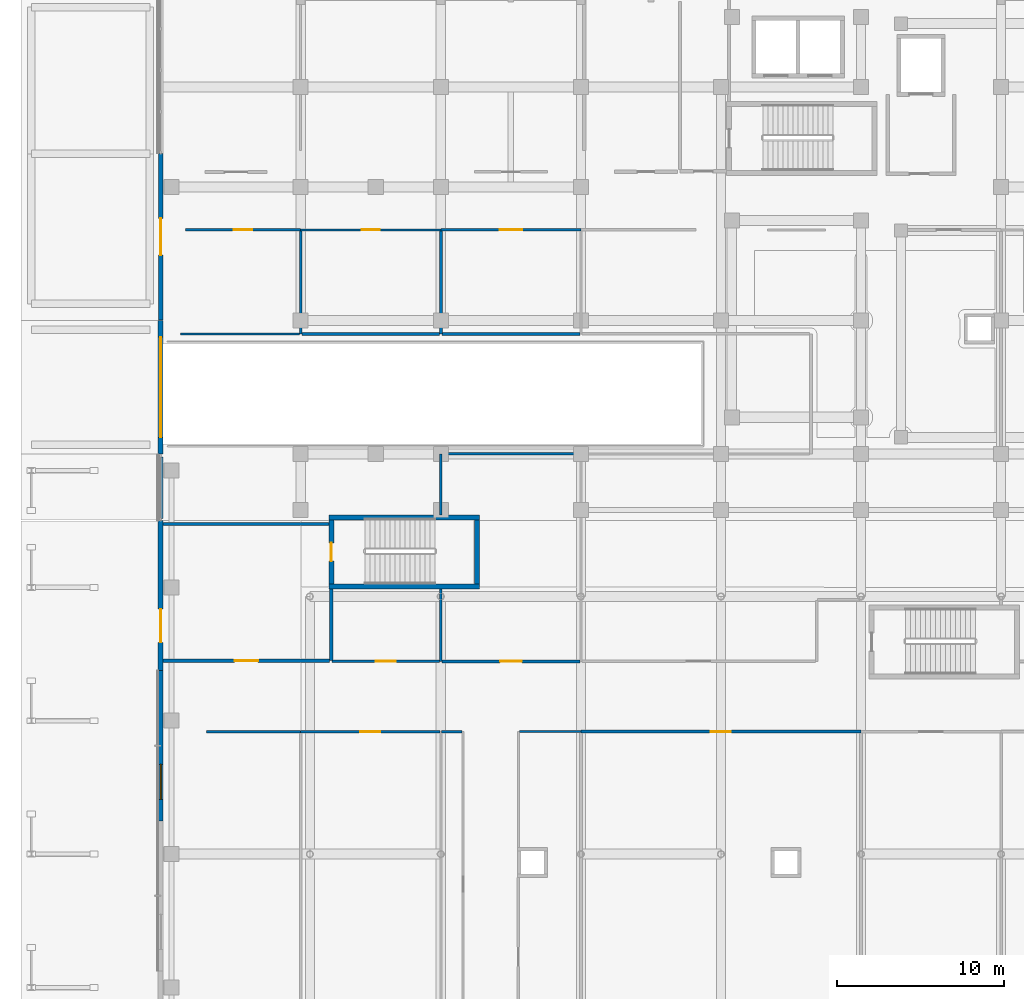
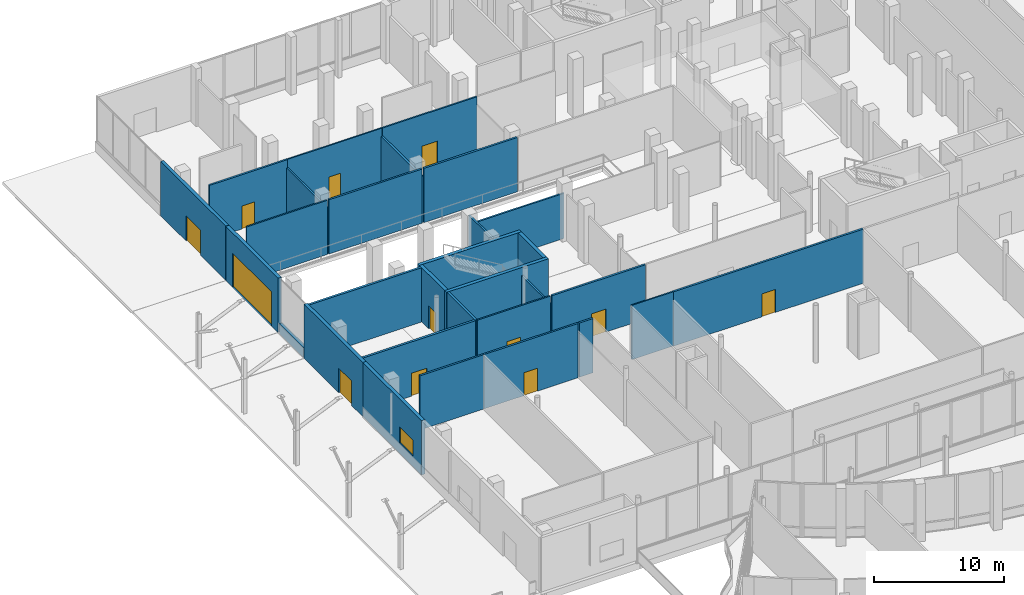
# One storey, part 137 of 158: 30 walls, 12 doors, 1 window, 13 openings.
"""IFC4 building model written with IfcOpenShell, lengths in metres."""

from ifc_helpers import new_model, si_unit, direction, frame, frame_2d, origin, place, context, subcontext, project, spatial, rectangle, extrude, material, layer, layer_set, type_object, element, fill, save


model = new_model("IFC4")

# Units and contexts
model_context = context("Model", 3, precision=1e-05, world=origin(), true_north=direction((0.0, 1.0)))
body_context = subcontext(model_context, "Body", "Model", "MODEL_VIEW")
ifc_project = project(units=[si_unit("LENGTHUNIT", "METRE"), si_unit("AREAUNIT", "SQUARE_METRE"), si_unit("VOLUMEUNIT", "CUBIC_METRE"), si_unit("PLANEANGLEUNIT", "RADIAN"), si_unit("MASSUNIT", "GRAM", prefix="KILO")], contexts=[model_context])

# Site, building, storey
site_placement = place(None, origin())
site = spatial("IfcSite", under=ifc_project, at=site_placement, CompositionType="ELEMENT")
building_placement = place(site_placement, origin())
building = spatial("IfcBuilding", under=site, at=building_placement, Name="Selatvlak General Hospital", CompositionType="ELEMENT")
storey_placement = place(building_placement, origin())
storey = spatial("IfcBuildingStorey", under=building, at=storey_placement, Name="L00", CompositionType="ELEMENT", Elevation=0.0)

# Wall, opening, window
ifc_material_1 = material(Name="Precast concrete C40/50 - white fair-faced", Category="concrete")
ifc_layer_1 = layer(ifc_material_1, 0.300048828125, Name="Precast concrete C40/50 - white fair-faced", Category="concrete")
ifc_layer_set_1 = layer_set([ifc_layer_1], Name="Precast concrete C40/50 - white fair-faced")
wall_type_1 = type_object("IfcWallType", Name="WALL-EW-01", PredefinedType="SOLIDWALL", material=ifc_layer_set_1)
wall_1_placement = place(storey_placement, frame((14.39990234375, 69.9990234375, 0.0), z_axis=(0.0, 0.0, 1.0), x_axis=(0.0, 1.0, 0.0)))
wall_1 = element("IfcWall", 1, at=wall_1_placement, inside=storey, type_object=wall_type_1, Name="L00 exterior wall 0144", PredefinedType="SOLIDWALL", context=body_context, shape_type="SweptSolid", body=[
    extrude(rectangle(XDim=9.0, YDim=0.300048828125, at=frame_2d((4.5, 0.0))), origin(), (0.0, 0.0, 1.0), 5.080078125),
])
opening_1_placement = place(wall_1_placement, frame((1.2900390625, 0.0, 0.9599609375)))
opening_1 = element("IfcOpeningElement", 2, at=opening_1_placement, cuts=wall_1, Name="Opening WN-06", PredefinedType="OPENING", context=body_context, shape_type="SweptSolid", body=[
    extrude(rectangle(XDim=2.10009765625, YDim=1.5, at=frame_2d((1.050048828125, 0.75))), frame((0.0, 0.159912109375, 0.0), z_axis=(0.0, -1.0, 0.0), x_axis=(1.0, 0.0, 0.0)), (0.0, 0.0, 1.0), 0.320068359375),
])
ifc_material_2 = material(Name="Thermally broken aluminium Low-E window", Category="aluminium")
window_type = type_object("IfcWindowType", Name="WIN-WN-06", PartitioningType="SINGLE_PANEL", PredefinedType="WINDOW", material=ifc_material_2)
window_placement = place(opening_1_placement, origin())
window = element("IfcWindow", 3, at=window_placement, inside=storey, type_object=window_type, Name="L00 Bauhaus ribbon window 0003", OverallHeight=1.5, OverallWidth=2.10009765625, PartitioningType="SINGLE_PANEL", PredefinedType="WINDOW", context=body_context, shape_type="SweptSolid", body=[
    extrude(rectangle(XDim=2.10009765625, YDim=1.5, at=frame_2d((1.050048828125, 0.75))), frame((0.0, 0.030029296875, 0.0), z_axis=(0.0, -1.0, 0.0), x_axis=(1.0, 0.0, 0.0)), (0.0, 0.0, 1.0), 0.06005859375),
])
fill(opening_1, window)

# Wall, opening, door
wall_2_placement = place(storey_placement, frame((14.39990234375, 78.9990234375, 0.0), z_axis=(0.0, 0.0, 1.0), x_axis=(0.0, 1.0, 0.0)))
wall_2 = element("IfcWall", 4, at=wall_2_placement, inside=storey, type_object=wall_type_1, Name="L00 exterior wall 0145", PredefinedType="SOLIDWALL", context=body_context, shape_type="SweptSolid", body=[
    extrude(rectangle(XDim=9.0, YDim=0.300048828125, at=frame_2d((4.5, 0.0))), origin(), (0.0, 0.0, 1.0), 5.080078125),
])
opening_2_placement = place(wall_2_placement, frame((1.699951171875, 0.0, 0.0)))
opening_2 = element("IfcOpeningElement", 5, at=opening_2_placement, cuts=wall_2, Name="Opening DE-03", PredefinedType="OPENING", context=body_context, shape_type="SweptSolid", body=[
    extrude(rectangle(XDim=2.0, YDim=2.300048828125, at=frame_2d((1.0, 1.14990234375))), frame((0.0, 0.159912109375, 0.0), z_axis=(0.0, -1.0, 0.0), x_axis=(1.0, 0.0, 0.0)), (0.0, 0.0, 1.0), 0.320068359375),
])
ifc_material_3 = material(Name="Steel acoustic fire exit double door", Category="steel")
door_type_1 = type_object("IfcDoorType", Name="DOOR-DE-03", OperationType="DOUBLE_DOOR_SINGLE_SWING", PredefinedType="DOOR", material=ifc_material_3)
door_1_placement = place(opening_2_placement, origin())
door_1 = element("IfcDoor", 6, at=door_1_placement, inside=storey, type_object=door_type_1, Name="Stair ST-07 ground final exit double door", OperationType="DOUBLE_DOOR_SINGLE_SWING", OverallHeight=2.300048828125, OverallWidth=2.0, PredefinedType="DOOR", context=body_context, shape_type="SweptSolid", body=[
    extrude(rectangle(XDim=2.0, YDim=2.300048828125, at=frame_2d((1.0, 1.14990234375))), frame((0.0, 0.02490234375, 0.0), z_axis=(0.0, -1.0, 0.0), x_axis=(1.0, 0.0, 0.0)), (0.0, 0.0, 1.0), 0.050048828125),
])
fill(opening_2, door_1)

wall_3_placement = place(storey_placement, frame((14.39990234375, 92.0, 0.0), z_axis=(0.0, 0.0, 1.0), x_axis=(0.0, 1.0, 0.0)))
wall_3 = element("IfcWall", 7, at=wall_3_placement, inside=storey, type_object=wall_type_1, Name="L00 basement car park ramp portal wall", PredefinedType="SOLIDWALL", context=body_context, shape_type="SweptSolid", body=[
    extrude(rectangle(XDim=8.0, YDim=0.300048828125, at=frame_2d((4.0, 0.0))), origin(), (0.0, 0.0, 1.0), 5.080078125),
])
opening_3_placement = place(wall_3_placement, frame((1.0, 0.0, 0.0)))
opening_3 = element("IfcOpeningElement", 8, at=opening_3_placement, cuts=wall_3, Name="Opening DG-01", PredefinedType="OPENING", context=body_context, shape_type="SweptSolid", body=[
    extrude(rectangle(XDim=6.0, YDim=3.199951171875, at=frame_2d((3.0, 1.60009765625))), frame((0.0, 0.159912109375, 0.0), z_axis=(0.0, -1.0, 0.0), x_axis=(1.0, 0.0, 0.0)), (0.0, 0.0, 1.0), 0.320068359375),
])
ifc_material_4 = material(Name="Motorised insulated aluminium vehicle shutter", Category="aluminium")
door_type_2 = type_object("IfcDoorType", Name="DOOR-DG-01", OperationType="ROLLINGUP", PredefinedType="DOOR", material=ifc_material_4)
door_2_placement = place(opening_3_placement, origin())
door_2 = element("IfcDoor", 9, at=door_2_placement, inside=storey, type_object=door_type_2, Name="Car park ramp vehicle roller shutter DG-01", OperationType="ROLLINGUP", OverallHeight=3.199951171875, OverallWidth=6.0, PredefinedType="DOOR", context=body_context, shape_type="SweptSolid", body=[
    extrude(rectangle(XDim=6.0, YDim=3.199951171875, at=frame_2d((3.0, 1.60009765625))), frame((0.0, 0.02490234375, 0.0), z_axis=(0.0, -1.0, 0.0), x_axis=(1.0, 0.0, 0.0)), (0.0, 0.0, 1.0), 0.050048828125),
])
fill(opening_3, door_2)

# Wall
ifc_material_5 = material(Name="Precast concrete C40/50 - white Bauhaus spandrel", Category="concrete")
ifc_layer_2 = layer(ifc_material_5, 0.280029296875, Name="Precast concrete C40/50 - white Bauhaus spandrel", Category="concrete")
ifc_layer_set_2 = layer_set([ifc_layer_2], Name="Precast concrete C40/50 - white Bauhaus spandrel")
wall_type_2 = type_object("IfcWallType", Name="WALL-EW-02", PredefinedType="SOLIDWALL", material=ifc_layer_set_2)
wall_4_placement = place(storey_placement, frame((14.39990234375, 88.138916015625, 0.0), z_axis=(0.0, 0.0, 1.0), x_axis=(0.0, 1.0, 0.0)))
element("IfcWall", 10, at=wall_4_placement, inside=storey, type_object=wall_type_2, Name="L00 Bauhaus spandrel sill wall 0146", PredefinedType="SOLIDWALL", context=body_context, shape_type="SweptSolid", body=[
    extrude(rectangle(XDim=3.68115234375, YDim=0.280029296875, at=frame_2d((1.840576171875, 0.0))), origin(), (0.0, 0.0, 1.0), 0.93994140625),
])

# Wall, opening, door
wall_5_placement = place(storey_placement, frame((14.39990234375, 100.0400390625, 0.0), z_axis=(0.0, 0.0, 1.0), x_axis=(0.0, 1.0, 0.0)))
wall_5 = element("IfcWall", 11, at=wall_5_placement, inside=storey, type_object=wall_type_2, Name="L00 exterior wall 0147", PredefinedType="SOLIDWALL", context=body_context, shape_type="SweptSolid", body=[
    extrude(rectangle(XDim=9.97900390625, YDim=0.280029296875, at=frame_2d((4.989501953125, 0.0))), origin(), (0.0, 0.0, 1.0), 5.080078125),
])
opening_4_placement = place(wall_5_placement, frame((3.888916015625, 0.0, 0.0)))
opening_4 = element("IfcOpeningElement", 12, at=opening_4_placement, cuts=wall_5, Name="Opening DE-02", PredefinedType="OPENING", context=body_context, shape_type="SweptSolid", body=[
    extrude(rectangle(XDim=2.199951171875, YDim=2.35009765625, at=frame_2d((1.10009765625, 1.175048828125))), frame((0.0, 0.14990234375, 0.0), z_axis=(0.0, -1.0, 0.0), x_axis=(1.0, 0.0, 0.0)), (0.0, 0.0, 1.0), 0.300048828125),
])
ifc_material_6 = material(Name="Anodised aluminium glazed entrance door", Category="aluminium")
door_type_3 = type_object("IfcDoorType", Name="DOOR-DE-02", OperationType="DOUBLE_DOOR_SINGLE_SWING", PredefinedType="DOOR", material=ifc_material_6)
door_3_placement = place(opening_4_placement, origin())
door_3 = element("IfcDoor", 13, at=door_3_placement, inside=storey, type_object=door_type_3, Name="Ground pedestrian final exit double door 04", OperationType="DOUBLE_DOOR_SINGLE_SWING", OverallHeight=2.35009765625, OverallWidth=2.199951171875, PredefinedType="DOOR", context=body_context, shape_type="SweptSolid", body=[
    extrude(rectangle(XDim=2.199951171875, YDim=2.35009765625, at=frame_2d((1.10009765625, 1.175048828125))), frame((0.0, 0.02490234375, 0.0), z_axis=(0.0, -1.0, 0.0), x_axis=(1.0, 0.0, 0.0)), (0.0, 0.0, 1.0), 0.050048828125),
])
fill(opening_4, door_3)

# Walls
ifc_material_7 = material(Name="Concrete C40/50", Category="concrete")
ifc_layer_3 = layer(ifc_material_7, 0.199951171875, Name="Concrete C40/50", Category="concrete")
ifc_layer_set_3 = layer_set([ifc_layer_3], Name="Concrete C40/50")
wall_type_3 = type_object("IfcWallType", Name="WALL-IW-02", PredefinedType="SOLIDWALL", material=ifc_layer_set_3)
wall_6_placement = place(storey_placement, frame((14.547119140625, 87.800048828125, 0.0), z_axis=(0.0, 0.0, 1.0), x_axis=(1.0, 0.0, 0.0)))
element("IfcWall", 14, at=wall_6_placement, inside=storey, type_object=wall_type_3, Name="L00 clinical partition PT-L00-0381", PredefinedType="SOLIDWALL", context=body_context, shape_type="SweptSolid", body=[
    extrude(rectangle(XDim=9.94580078125, YDim=0.199951171875, at=frame_2d((4.972900390625, 0.0))), origin(), (0.0, 0.0, 1.0), 5.080078125),
])
wall_7_placement = place(storey_placement, frame((24.6298828125, 83.89306640625, 0.0), z_axis=(0.0, 0.0, 1.0), x_axis=(0.0, -1.0, 0.0)))
element("IfcWall", 15, at=wall_7_placement, inside=storey, type_object=wall_type_3, Name="L00 clinical partition PT-L00-0382", PredefinedType="SOLIDWALL", context=body_context, shape_type="SweptSolid", body=[
    extrude(rectangle(XDim=4.29296875, YDim=0.199951171875, at=frame_2d((2.146484375, 0.0))), origin(), (0.0, 0.0, 1.0), 5.080078125),
])

# Wall, opening, door
wall_8_placement = place(storey_placement, frame((24.533935546875, 79.60009765625, 0.0), z_axis=(0.0, 0.0, 1.0), x_axis=(-1.0, 0.0, 0.0)))
wall_8 = element("IfcWall", 16, at=wall_8_placement, inside=storey, type_object=wall_type_3, Name="L00 clinical partition PT-L00-0383", PredefinedType="SOLIDWALL", context=body_context, shape_type="SweptSolid", body=[
    extrude(rectangle(XDim=9.98681640625, YDim=0.199951171875, at=frame_2d((4.993408203125, 0.0))), origin(), (0.0, 0.0, 1.0), 5.080078125),
])
opening_5_placement = place(wall_8_placement, frame((4.29296875, 0.0, 0.0)))
opening_5 = element("IfcOpeningElement", 17, at=opening_5_placement, cuts=wall_8, Name="Opening D-11", PredefinedType="OPENING", context=body_context, shape_type="SweptSolid", body=[
    extrude(rectangle(XDim=1.39990234375, YDim=2.14990234375, at=frame_2d((0.699951171875, 1.074951171875))), frame((0.0, 0.10986328125, 0.0), z_axis=(0.0, -1.0, 0.0), x_axis=(1.0, 0.0, 0.0)), (0.0, 0.0, 1.0), 0.219970703125),
])
ifc_material_8 = material(Name="Inpatient suite bed door")
door_type_4 = type_object("IfcDoorType", Name="DOOR-D-11", OperationType="NOTDEFINED", PredefinedType="DOOR", material=ifc_material_8)
door_4_placement = place(opening_5_placement, origin())
door_4 = element("IfcDoor", 18, at=door_4_placement, inside=storey, type_object=door_type_4, Name="L00 Protected Exit Passageway ST-07 door", OperationType="SINGLE_SWING_RIGHT", OverallHeight=2.14990234375, OverallWidth=1.39990234375, PredefinedType="DOOR", context=body_context, shape_type="SweptSolid", body=[
    extrude(rectangle(XDim=1.39990234375, YDim=2.14990234375, at=frame_2d((0.699951171875, 1.074951171875))), frame((0.0, 0.02490234375, 0.0), z_axis=(0.0, -1.0, 0.0), x_axis=(1.0, 0.0, 0.0)), (0.0, 0.0, 1.0), 0.050048828125),
])
fill(opening_5, door_4)

ifc_material_9 = material(Name="Acoustic gypsum stud partition")
ifc_layer_4 = layer(ifc_material_9, 0.179931640625, Name="Acoustic gypsum stud partition")
ifc_layer_set_4 = layer_set([ifc_layer_4], Name="Acoustic gypsum stud partition")
wall_type_4 = type_object("IfcWallType", Name="WALL-PT-01", PredefinedType="PARTITIONING", material=ifc_layer_set_4)
wall_9_placement = place(storey_placement, frame((39.60009765625, 75.340087890625, 0.0), z_axis=(0.0, 0.0, 1.0), x_axis=(1.0, 0.0, 0.0)))
wall_9 = element("IfcWall", 19, at=wall_9_placement, inside=storey, type_object=wall_type_4, Name="L00 clinical partition PT-L00-0455", PredefinedType="PARTITIONING", context=body_context, shape_type="SweptSolid", body=[
    extrude(rectangle(XDim=16.7998046875, YDim=0.179931640625, at=frame_2d((8.39990234375, 0.0))), origin(), (0.0, 0.0, 1.0), 5.080078125),
])
opening_6_placement = place(wall_9_placement, frame((7.800048828125, 0.0, 0.0)))
opening_6 = element("IfcOpeningElement", 20, at=opening_6_placement, cuts=wall_9, Name="Opening D-07", PredefinedType="OPENING", context=body_context, shape_type="SweptSolid", body=[
    extrude(rectangle(XDim=1.199951171875, YDim=2.14990234375, at=frame_2d((0.60009765625, 1.074951171875))), frame((0.0, 0.099853515625, 0.0), z_axis=(0.0, -1.0, 0.0), x_axis=(1.0, 0.0, 0.0)), (0.0, 0.0, 1.0), 0.199951171875),
])
ifc_material_10 = material(Name="Plant and store fire door")
door_type_5 = type_object("IfcDoorType", Name="DOOR-D-07", OperationType="NOTDEFINED", PredefinedType="DOOR", material=ifc_material_10)
door_5_placement = place(opening_6_placement, origin())
door_5 = element("IfcDoor", 21, at=door_5_placement, inside=storey, type_object=door_type_5, Name="L00 Main Concourse Hall and Registration Atrium 11 door", OperationType="SINGLE_SWING_LEFT", OverallHeight=2.14990234375, OverallWidth=1.199951171875, PredefinedType="DOOR", context=body_context, shape_type="SweptSolid", body=[
    extrude(rectangle(XDim=1.199951171875, YDim=2.14990234375, at=frame_2d((0.60009765625, 1.074951171875))), frame((0.0, 0.02490234375, 0.0), z_axis=(0.0, -1.0, 0.0), x_axis=(1.0, 0.0, 0.0)), (0.0, 0.0, 1.0), 0.050048828125),
])
fill(opening_6, door_5)

# Wall
wall_10_placement = place(storey_placement, frame((31.199951171875, 105.384033203125, 0.0), z_axis=(0.0, 0.0, 1.0), x_axis=(0.0, -1.0, 0.0)))
element("IfcWall", 22, at=wall_10_placement, inside=storey, type_object=wall_type_4, Name="L00 clinical partition PT-L00-0610", PredefinedType="PARTITIONING", context=body_context, shape_type="SweptSolid", body=[
    extrude(rectangle(XDim=6.18408203125, YDim=0.179931640625, at=frame_2d((3.092041015625, 0.0))), origin(), (0.0, 0.0, 1.0), 4.330078125),
])

# Wall, opening, door
wall_11_placement = place(storey_placement, frame((39.5439453125, 79.56005859375, 0.0), z_axis=(0.0, 0.0, 1.0), x_axis=(-1.0, 0.0, 0.0)))
wall_11 = element("IfcWall", 23, at=wall_11_placement, inside=storey, type_object=wall_type_4, Name="L00 clinical partition PT-L00-0615", PredefinedType="PARTITIONING", context=body_context, shape_type="SweptSolid", body=[
    extrude(rectangle(XDim=8.27294921875, YDim=0.179931640625, at=frame_2d((4.136474609375, 0.0))), origin(), (0.0, 0.0, 1.0), 5.080078125),
])
opening_7_placement = place(wall_11_placement, frame((3.486083984375, 0.0, 0.0)))
opening_7 = element("IfcOpeningElement", 24, at=opening_7_placement, cuts=wall_11, Name="Opening D-09", PredefinedType="OPENING", context=body_context, shape_type="SweptSolid", body=[
    extrude(rectangle(XDim=1.300048828125, YDim=2.14990234375, at=frame_2d((0.64990234375, 1.074951171875))), frame((0.0, 0.099853515625, 0.0), z_axis=(0.0, -1.0, 0.0), x_axis=(1.0, 0.0, 0.0)), (0.0, 0.0, 1.0), 0.199951171875),
])
ifc_material_11 = material(Name="Outpatient procedure door")
door_type_6 = type_object("IfcDoorType", Name="DOOR-D-09", OperationType="NOTDEFINED", PredefinedType="DOOR", material=ifc_material_11)
door_6_placement = place(opening_7_placement, origin())
door_6 = element("IfcDoor", 25, at=door_6_placement, inside=storey, type_object=door_type_6, Name="L00 Emergency Decontamination Room 44 door", OperationType="SINGLE_SWING_RIGHT", OverallHeight=2.14990234375, OverallWidth=1.300048828125, PredefinedType="DOOR", context=body_context, shape_type="SweptSolid", body=[
    extrude(rectangle(XDim=1.300048828125, YDim=2.14990234375, at=frame_2d((0.64990234375, 1.074951171875))), frame((0.0, 0.02490234375, 0.0), z_axis=(0.0, -1.0, 0.0), x_axis=(1.0, 0.0, 0.0)), (0.0, 0.0, 1.0), 0.050048828125),
])
fill(opening_7, door_6)

# Walls
wall_12_placement = place(storey_placement, frame((39.5439453125, 99.199951171875, 0.0), z_axis=(0.0, 0.0, 1.0), x_axis=(-1.0, 0.0, 0.0)))
element("IfcWall", 26, at=wall_12_placement, inside=storey, type_object=wall_type_4, Name="L00 clinical partition PT-L00-0620", PredefinedType="PARTITIONING", context=body_context, shape_type="SweptSolid", body=[
    extrude(rectangle(XDim=8.258056640625, YDim=0.179931640625, at=frame_2d((4.12890625, 0.0))), origin(), (0.0, 0.0, 1.0), 5.080078125),
])
ifc_layer_5 = layer(ifc_material_9, 0.1650390625, Name="Acoustic gypsum stud partition")
ifc_layer_set_5 = layer_set([ifc_layer_5], Name="Acoustic gypsum stud partition")
wall_type_5 = type_object("IfcWallType", Name="WALL-PT-02", PredefinedType="PARTITIONING", material=ifc_layer_set_5)
wall_13_placement = place(storey_placement, frame((17.157958984375, 75.340087890625, 0.0), z_axis=(0.0, 0.0, 1.0), x_axis=(1.0, 0.0, 0.0)))
element("IfcWall", 27, at=wall_13_placement, inside=storey, type_object=wall_type_5, Name="L00 clinical partition PT-L00-0401", PredefinedType="PARTITIONING", context=body_context, shape_type="SweptSolid", body=[
    extrude(rectangle(XDim=5.64208984375, YDim=0.1650390625, at=frame_2d((2.821044921875, 0.0))), origin(), (0.0, 0.0, 1.0), 5.080078125),
])

# Wall, opening, door
wall_14_placement = place(storey_placement, frame((22.800048828125, 75.340087890625, 0.0), z_axis=(0.0, 0.0, 1.0), x_axis=(1.0, 0.0, 0.0)))
wall_14 = element("IfcWall", 28, at=wall_14_placement, inside=storey, type_object=wall_type_5, Name="L00 clinical partition PT-L00-0421", PredefinedType="PARTITIONING", context=body_context, shape_type="SweptSolid", body=[
    extrude(rectangle(XDim=8.343994140625, YDim=0.1650390625, at=frame_2d((4.171875, 0.0))), origin(), (0.0, 0.0, 1.0), 5.080078125),
])
opening_8_placement = place(wall_14_placement, frame((3.572021484375, 0.0, 0.0)))
opening_8 = element("IfcOpeningElement", 29, at=opening_8_placement, cuts=wall_14, Name="Opening D-07", PredefinedType="OPENING", context=body_context, shape_type="SweptSolid", body=[
    extrude(rectangle(XDim=1.199951171875, YDim=2.14990234375, at=frame_2d((0.60009765625, 1.074951171875))), frame((0.0, 0.092529296875, 0.0), z_axis=(0.0, -1.0, 0.0), x_axis=(1.0, 0.0, 0.0)), (0.0, 0.0, 1.0), 0.18505859375),
])
door_7_placement = place(opening_8_placement, origin())
door_7 = element("IfcDoor", 30, at=door_7_placement, inside=storey, type_object=door_type_5, Name="L00 Outpatient Specialist Waiting Concourse 03 door", OperationType="SINGLE_SWING_LEFT", OverallHeight=2.14990234375, OverallWidth=1.199951171875, PredefinedType="DOOR", context=body_context, shape_type="SweptSolid", body=[
    extrude(rectangle(XDim=1.199951171875, YDim=2.14990234375, at=frame_2d((0.60009765625, 1.074951171875))), frame((0.0, 0.02490234375, 0.0), z_axis=(0.0, -1.0, 0.0), x_axis=(1.0, 0.0, 0.0)), (0.0, 0.0, 1.0), 0.050048828125),
])
fill(opening_8, door_7)

# Wall
wall_15_placement = place(storey_placement, frame((31.256103515625, 75.340087890625, 0.0), z_axis=(0.0, 0.0, 1.0), x_axis=(1.0, 0.0, 0.0)))
element("IfcWall", 31, at=wall_15_placement, inside=storey, type_object=wall_type_5, Name="L00 clinical partition PT-L00-0431", PredefinedType="PARTITIONING", context=body_context, shape_type="SweptSolid", body=[
    extrude(rectangle(XDim=1.227783203125, YDim=0.1650390625, at=frame_2d((0.61376953125, 0.0))), origin(), (0.0, 0.0, 1.0), 5.080078125),
])

# Wall, opening, door
wall_16_placement = place(storey_placement, frame((15.89306640625, 105.43994140625, 0.0), z_axis=(0.0, 0.0, 1.0), x_axis=(1.0, 0.0, 0.0)))
wall_16 = element("IfcWall", 32, at=wall_16_placement, inside=storey, type_object=wall_type_5, Name="L00 clinical partition PT-L00-0606", PredefinedType="PARTITIONING", context=body_context, shape_type="SweptSolid", body=[
    extrude(rectangle(XDim=6.906982421875, YDim=0.1650390625, at=frame_2d((3.45361328125, 0.0))), origin(), (0.0, 0.0, 1.0), 5.080078125),
])
opening_9_placement = place(wall_16_placement, frame((2.904052734375, 0.0, 0.0)))
opening_9 = element("IfcOpeningElement", 33, at=opening_9_placement, cuts=wall_16, Name="Opening D-22", PredefinedType="OPENING", context=body_context, shape_type="SweptSolid", body=[
    extrude(rectangle(XDim=1.10009765625, YDim=2.14990234375, at=frame_2d((0.550048828125, 1.074951171875))), frame((0.0, 0.092529296875, 0.0), z_axis=(0.0, -1.0, 0.0), x_axis=(1.0, 0.0, 0.0)), (0.0, 0.0, 1.0), 0.18505859375),
])
ifc_material_12 = material(Name="Pharmacy security fire door")
door_type_7 = type_object("IfcDoorType", Name="DOOR-D-22", OperationType="NOTDEFINED", PredefinedType="DOOR", material=ifc_material_12)
door_8_placement = place(opening_9_placement, origin())
door_8 = element("IfcDoor", 34, at=door_8_placement, inside=storey, type_object=door_type_7, Name="L00 Hospital Outpatient Pharmacy 41 door", OperationType="SINGLE_SWING_LEFT", OverallHeight=2.14990234375, OverallWidth=1.10009765625, PredefinedType="DOOR", context=body_context, shape_type="SweptSolid", body=[
    extrude(rectangle(XDim=1.10009765625, YDim=2.14990234375, at=frame_2d((0.550048828125, 1.074951171875))), frame((0.0, 0.02490234375, 0.0), z_axis=(0.0, -1.0, 0.0), x_axis=(1.0, 0.0, 0.0)), (0.0, 0.0, 1.0), 0.050048828125),
])
fill(opening_9, door_8)

# Walls
wall_17_placement = place(storey_placement, frame((31.114013671875, 99.199951171875, 0.0), z_axis=(0.0, 0.0, 1.0), x_axis=(-1.0, 0.0, 0.0)))
element("IfcWall", 35, at=wall_17_placement, inside=storey, type_object=wall_type_5, Name="L00 clinical partition PT-L00-0611", PredefinedType="PARTITIONING", context=body_context, shape_type="SweptSolid", body=[
    extrude(rectangle(XDim=8.242919921875, YDim=0.1650390625, at=frame_2d((4.12158203125, 0.0))), origin(), (0.0, 0.0, 1.0), 5.080078125),
])
wall_18_placement = place(storey_placement, frame((31.199951171875, 88.346923828125, 0.0), z_axis=(0.0, 0.0, 1.0), x_axis=(0.0, 1.0, 0.0)))
element("IfcWall", 36, at=wall_18_placement, inside=storey, type_object=wall_type_5, Name="L00 clinical partition PT-L00-0616", PredefinedType="PARTITIONING", context=body_context, shape_type="SweptSolid", body=[
    extrude(rectangle(XDim=3.653076171875, YDim=0.1650390625, at=frame_2d((1.82666015625, 0.0))), origin(), (0.0, 0.0, 1.0), 5.080078125),
])
ifc_layer_6 = layer(ifc_material_9, 0.14990234375, Name="Acoustic gypsum stud partition")
ifc_layer_set_6 = layer_set([ifc_layer_6], Name="Acoustic gypsum stud partition")
wall_type_6 = type_object("IfcWallType", Name="WALL-PT-03", PredefinedType="PARTITIONING", material=ifc_layer_set_6)
wall_19_placement = place(storey_placement, frame((22.800048828125, 105.361083984375, 0.0), z_axis=(0.0, 0.0, 1.0), x_axis=(0.0, -1.0, 0.0)))
element("IfcWall", 37, at=wall_19_placement, inside=storey, type_object=wall_type_6, Name="L00 clinical partition PT-L00-0607", PredefinedType="PARTITIONING", context=body_context, shape_type="SweptSolid", body=[
    extrude(rectangle(XDim=6.1611328125, YDim=0.14990234375, at=frame_2d((3.08056640625, 0.0))), origin(), (0.0, 0.0, 1.0), 4.330078125),
])
wall_20_placement = place(storey_placement, frame((31.199951171875, 83.89306640625, 0.0), z_axis=(0.0, 0.0, 1.0), x_axis=(0.0, -1.0, 0.0)))
element("IfcWall", 38, at=wall_20_placement, inside=storey, type_object=wall_type_6, Name="L00 clinical partition PT-L00-0612", PredefinedType="PARTITIONING", context=body_context, shape_type="SweptSolid", body=[
    extrude(rectangle(XDim=4.3330078125, YDim=0.14990234375, at=frame_2d((2.16650390625, 0.0))), origin(), (0.0, 0.0, 1.0), 4.330078125),
])
wall_21_placement = place(storey_placement, frame((31.278076171875, 92.0, 0.0), z_axis=(0.0, 0.0, 1.0), x_axis=(1.0, 0.0, 0.0)))
element("IfcWall", 39, at=wall_21_placement, inside=storey, type_object=wall_type_6, Name="L00 clinical partition PT-L00-0617", PredefinedType="PARTITIONING", context=body_context, shape_type="SweptSolid", body=[
    extrude(rectangle(XDim=8.265869140625, YDim=0.14990234375, at=frame_2d((4.1328125, 0.0))), origin(), (0.0, 0.0, 1.0), 4.22998046875),
])
ifc_material_13 = material(Name="Moisture-resistant clinical partition")
ifc_layer_7 = layer(ifc_material_13, 0.135009765625, Name="Moisture-resistant clinical partition")
ifc_layer_set_7 = layer_set([ifc_layer_7], Name="Moisture-resistant clinical partition")
wall_type_7 = type_object("IfcWallType", Name="WALL-PT-04", PredefinedType="PARTITIONING", material=ifc_layer_set_7)
wall_22_placement = place(storey_placement, frame((22.72900390625, 99.199951171875, 0.0), z_axis=(0.0, 0.0, 1.0), x_axis=(-1.0, 0.0, 0.0)))
element("IfcWall", 40, at=wall_22_placement, inside=storey, type_object=wall_type_7, Name="L00 clinical partition PT-L00-0608", PredefinedType="PARTITIONING", context=body_context, shape_type="SweptSolid", body=[
    extrude(rectangle(XDim=7.12890625, YDim=0.135009765625, at=frame_2d((3.564453125, 0.0))), origin(), (0.0, 0.0, 1.0), 5.080078125),
])

# Wall, opening, door
wall_23_placement = place(storey_placement, frame((31.12890625, 79.56005859375, 0.0), z_axis=(0.0, 0.0, 1.0), x_axis=(-1.0, 0.0, 0.0)))
wall_23 = element("IfcWall", 41, at=wall_23_placement, inside=storey, type_object=wall_type_7, Name="L00 clinical partition PT-L00-0613", PredefinedType="PARTITIONING", context=body_context, shape_type="SweptSolid", body=[
    extrude(rectangle(XDim=6.453857421875, YDim=0.135009765625, at=frame_2d((3.22705078125, 0.0))), origin(), (0.0, 0.0, 1.0), 5.080078125),
])
opening_10_placement = place(wall_23_placement, frame((2.626953125, 0.0, 0.0)))
opening_10 = element("IfcOpeningElement", 42, at=opening_10_placement, cuts=wall_23, Name="Opening D-07", PredefinedType="OPENING", context=body_context, shape_type="SweptSolid", body=[
    extrude(rectangle(XDim=1.199951171875, YDim=2.14990234375, at=frame_2d((0.60009765625, 1.074951171875))), frame((0.0, 0.077392578125, 0.0), z_axis=(0.0, -1.0, 0.0), x_axis=(1.0, 0.0, 0.0)), (0.0, 0.0, 1.0), 0.155029296875),
])
door_9_placement = place(opening_10_placement, origin())
door_9 = element("IfcDoor", 43, at=door_9_placement, inside=storey, type_object=door_type_5, Name="L00 Emergency Acute Treatment Room 43 door", OperationType="SINGLE_SWING_LEFT", OverallHeight=2.14990234375, OverallWidth=1.199951171875, PredefinedType="DOOR", context=body_context, shape_type="SweptSolid", body=[
    extrude(rectangle(XDim=1.199951171875, YDim=2.14990234375, at=frame_2d((0.60009765625, 1.074951171875))), frame((0.0, 0.02490234375, 0.0), z_axis=(0.0, -1.0, 0.0), x_axis=(1.0, 0.0, 0.0)), (0.0, 0.0, 1.0), 0.050048828125),
])
fill(opening_10, door_9)

wall_24_placement = place(storey_placement, frame((31.199951171875, 105.43994140625, 0.0), z_axis=(0.0, 0.0, 1.0), x_axis=(1.0, 0.0, 0.0)))
wall_24 = element("IfcWall", 44, at=wall_24_placement, inside=storey, type_object=wall_type_7, Name="L00 clinical partition PT-L00-0618", PredefinedType="PARTITIONING", context=body_context, shape_type="SweptSolid", body=[
    extrude(rectangle(XDim=8.400146484375, YDim=0.135009765625, at=frame_2d((4.2001953125, 0.0))), origin(), (0.0, 0.0, 1.0), 5.080078125),
])
opening_11_placement = place(wall_24_placement, frame((3.52490234375, 0.0, 0.0)))
opening_11 = element("IfcOpeningElement", 45, at=opening_11_placement, cuts=wall_24, Name="Opening D-10", PredefinedType="OPENING", context=body_context, shape_type="SweptSolid", body=[
    extrude(rectangle(XDim=1.35009765625, YDim=2.14990234375, at=frame_2d((0.675048828125, 1.074951171875))), frame((0.0, 0.077392578125, 0.0), z_axis=(0.0, -1.0, 0.0), x_axis=(1.0, 0.0, 0.0)), (0.0, 0.0, 1.0), 0.155029296875),
])
ifc_material_14 = material(Name="Single patient bed door")
door_type_8 = type_object("IfcDoorType", Name="DOOR-D-10", OperationType="NOTDEFINED", PredefinedType="DOOR", material=ifc_material_14)
door_10_placement = place(opening_11_placement, origin())
door_10 = element("IfcDoor", 46, at=door_10_placement, inside=storey, type_object=door_type_8, Name="L00 Diagnostic Ultrasound Room 45 door", OperationType="SINGLE_SWING_LEFT", OverallHeight=2.14990234375, OverallWidth=1.35009765625, PredefinedType="DOOR", context=body_context, shape_type="SweptSolid", body=[
    extrude(rectangle(XDim=1.35009765625, YDim=2.14990234375, at=frame_2d((0.675048828125, 1.074951171875))), frame((0.0, 0.02490234375, 0.0), z_axis=(0.0, -1.0, 0.0), x_axis=(1.0, 0.0, 0.0)), (0.0, 0.0, 1.0), 0.050048828125),
])
fill(opening_11, door_10)

# Wall
ifc_layer_8 = layer(ifc_material_13, 0.1201171875, Name="Moisture-resistant clinical partition")
ifc_layer_set_8 = layer_set([ifc_layer_8], Name="Moisture-resistant clinical partition")
wall_type_8 = type_object("IfcWallType", Name="WALL-PT-05", PredefinedType="PARTITIONING", material=ifc_layer_set_8)
wall_25_placement = place(storey_placement, frame((35.923095703125, 75.340087890625, 0.0), z_axis=(0.0, 0.0, 1.0), x_axis=(1.0, 0.0, 0.0)))
element("IfcWall", 47, at=wall_25_placement, inside=storey, type_object=wall_type_8, Name="L00 clinical partition PT-L00-0434", PredefinedType="PARTITIONING", context=body_context, shape_type="SweptSolid", body=[
    extrude(rectangle(XDim=3.677001953125, YDim=0.1201171875, at=frame_2d((1.83837890625, 0.0))), origin(), (0.0, 0.0, 1.0), 5.080078125),
])

# Wall, opening, door
wall_26_placement = place(storey_placement, frame((22.800048828125, 105.43994140625, 0.0), z_axis=(0.0, 0.0, 1.0), x_axis=(1.0, 0.0, 0.0)))
wall_26 = element("IfcWall", 48, at=wall_26_placement, inside=storey, type_object=wall_type_8, Name="L00 clinical partition PT-L00-0609", PredefinedType="PARTITIONING", context=body_context, shape_type="SweptSolid", body=[
    extrude(rectangle(XDim=8.39990234375, YDim=0.1201171875, at=frame_2d((4.199951171875, 0.0))), origin(), (0.0, 0.0, 1.0), 5.080078125),
])
opening_12_placement = place(wall_26_placement, frame((3.675048828125, 0.0, 0.0)))
opening_12 = element("IfcOpeningElement", 49, at=opening_12_placement, cuts=wall_26, Name="Opening D-04", PredefinedType="OPENING", context=body_context, shape_type="SweptSolid", body=[
    extrude(rectangle(XDim=1.050048828125, YDim=2.14990234375, at=frame_2d((0.52490234375, 1.074951171875))), frame((0.0, 0.070068359375, 0.0), z_axis=(0.0, -1.0, 0.0), x_axis=(1.0, 0.0, 0.0)), (0.0, 0.0, 1.0), 0.14013671875),
])
ifc_material_15 = material(Name="Consultation room door")
door_type_9 = type_object("IfcDoorType", Name="DOOR-D-04", OperationType="NOTDEFINED", PredefinedType="DOOR", material=ifc_material_15)
door_11_placement = place(opening_12_placement, origin())
door_11 = element("IfcDoor", 50, at=door_11_placement, inside=storey, type_object=door_type_9, Name="L00 Public Dining Cafeteria 42 door", OperationType="SINGLE_SWING_RIGHT", OverallHeight=2.14990234375, OverallWidth=1.050048828125, PredefinedType="DOOR", context=body_context, shape_type="SweptSolid", body=[
    extrude(rectangle(XDim=1.050048828125, YDim=2.14990234375, at=frame_2d((0.52490234375, 1.074951171875))), frame((0.0, 0.02490234375, 0.0), z_axis=(0.0, -1.0, 0.0), x_axis=(1.0, 0.0, 0.0)), (0.0, 0.0, 1.0), 0.050048828125),
])
fill(opening_12, door_11)

# Walls
ifc_material_16 = material(Name="Concrete C45/55", Category="concrete")
ifc_layer_9 = layer(ifc_material_16, 0.300048828125, Name="Concrete C45/55", Category="concrete")
ifc_layer_set_9 = layer_set([ifc_layer_9], Name="Concrete C45/55")
wall_type_9 = type_object("IfcWallType", Name="WALL-SW-02", PredefinedType="SHEAR", material=ifc_layer_set_9)
wall_27_placement = place(storey_placement, frame((24.489990234375, 84.0400390625, 0.0), z_axis=(0.0, 0.0, 1.0), x_axis=(1.0, 0.0, 0.0)))
element("IfcWall", 51, at=wall_27_placement, inside=storey, type_object=wall_type_9, Name="ST-07 core shear wall L00 S", PredefinedType="SHEAR", context=body_context, shape_type="SweptSolid", body=[
    extrude(rectangle(XDim=9.02001953125, YDim=0.300048828125, at=frame_2d((4.510009765625, 0.0))), origin(), (0.0, 0.0, 1.0), 5.080078125),
])
wall_28_placement = place(storey_placement, frame((33.360107421875, 84.18994140625, 0.0), z_axis=(0.0, 0.0, 1.0), x_axis=(0.0, 1.0, 0.0)))
element("IfcWall", 52, at=wall_28_placement, inside=storey, type_object=wall_type_9, Name="ST-07 core shear wall L00 E", PredefinedType="SHEAR", context=body_context, shape_type="SweptSolid", body=[
    extrude(rectangle(XDim=3.860107421875, YDim=0.300048828125, at=frame_2d((1.93017578125, 0.0))), origin(), (0.0, 0.0, 1.0), 5.080078125),
])
wall_29_placement = place(storey_placement, frame((33.510009765625, 88.199951171875, 0.0), z_axis=(0.0, 0.0, 1.0), x_axis=(-1.0, 0.0, 0.0)))
element("IfcWall", 53, at=wall_29_placement, inside=storey, type_object=wall_type_9, Name="ST-07 core shear wall L00 N", PredefinedType="SHEAR", context=body_context, shape_type="SweptSolid", body=[
    extrude(rectangle(XDim=9.02001953125, YDim=0.300048828125, at=frame_2d((4.510009765625, 0.0))), origin(), (0.0, 0.0, 1.0), 5.080078125),
])

# Wall, opening, door
wall_30_placement = place(storey_placement, frame((24.639892578125, 88.050048828125, 0.0), z_axis=(0.0, 0.0, 1.0), x_axis=(0.0, -1.0, 0.0)))
wall_30 = element("IfcWall", 54, at=wall_30_placement, inside=storey, type_object=wall_type_9, Name="ST-07 core shear wall L00 W", PredefinedType="SHEAR", context=body_context, shape_type="SweptSolid", body=[
    extrude(rectangle(XDim=3.860107421875, YDim=0.300048828125, at=frame_2d((1.93017578125, 0.0))), origin(), (0.0, 0.0, 1.0), 5.080078125),
])
opening_13_placement = place(wall_30_placement, frame((1.3798828125, 0.0, 0.0)))
opening_13 = element("IfcOpeningElement", 55, at=opening_13_placement, cuts=wall_30, Name="Opening D-05", PredefinedType="OPENING", context=body_context, shape_type="SweptSolid", body=[
    extrude(rectangle(XDim=1.10009765625, YDim=2.14990234375, at=frame_2d((0.550048828125, 1.074951171875))), frame((0.0, 0.159912109375, 0.0), z_axis=(0.0, -1.0, 0.0), x_axis=(1.0, 0.0, 0.0)), (0.0, 0.0, 1.0), 0.320068359375),
])
ifc_material_17 = material(Name="Protected stair fire door")
door_type_10 = type_object("IfcDoorType", Name="DOOR-D-05", OperationType="NOTDEFINED", PredefinedType="DOOR", material=ifc_material_17)
door_12_placement = place(opening_13_placement, origin())
door_12 = element("IfcDoor", 56, at=door_12_placement, inside=storey, type_object=door_type_10, Name="ST-07 protected stair door on L00", OperationType="SINGLE_SWING_LEFT", OverallHeight=2.14990234375, OverallWidth=1.10009765625, PredefinedType="DOOR", context=body_context, shape_type="SweptSolid", body=[
    extrude(rectangle(XDim=1.10009765625, YDim=2.14990234375, at=frame_2d((0.550048828125, 1.074951171875))), frame((0.0, 0.02490234375, 0.0), z_axis=(0.0, -1.0, 0.0), x_axis=(1.0, 0.0, 0.0)), (0.0, 0.0, 1.0), 0.050048828125),
])
fill(opening_13, door_12)

save(model, "model.ifc")
